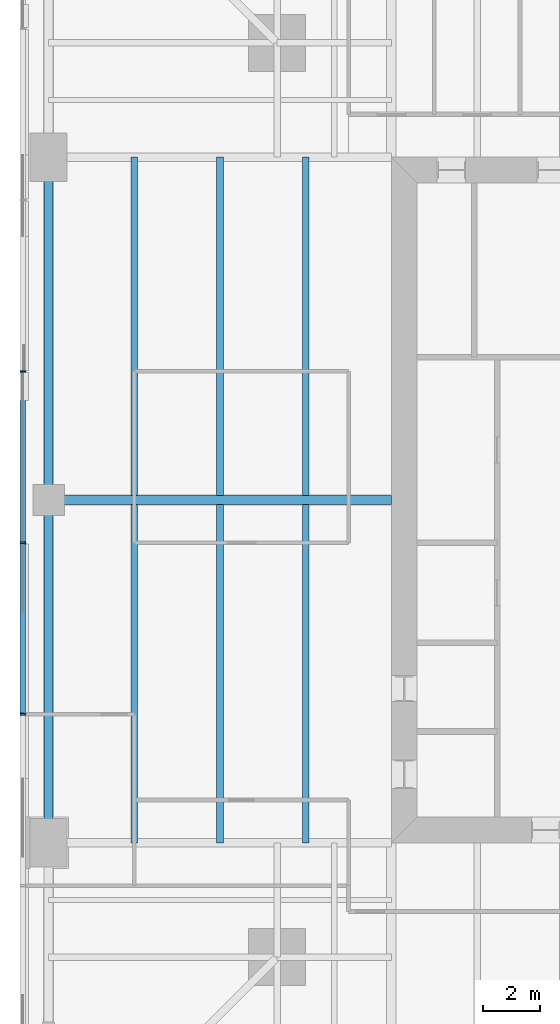
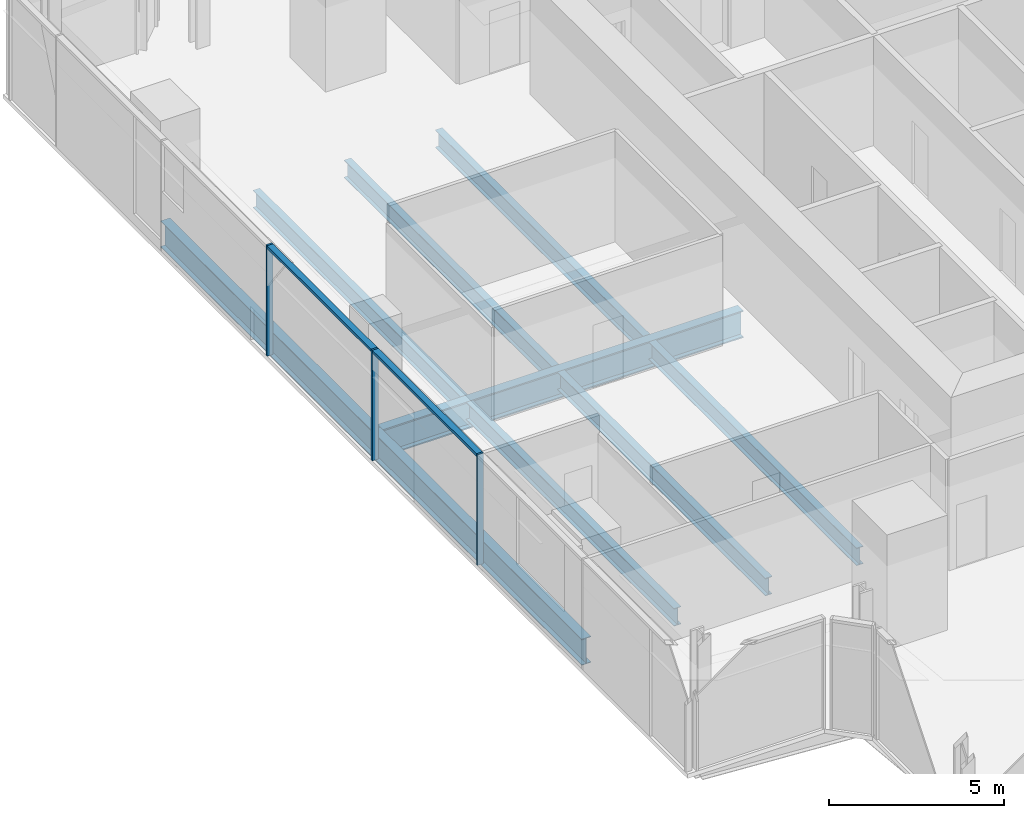
# One storey, part 4 of 14: 9 beams, 5 members, 1 element without a shape of its own.
"""IFC4 building model written with IfcOpenShell, lengths in metres."""

from ifc_helpers import new_model, si_unit, direction, frame, origin, origin_2d, place, context, subcontext, project, spatial, rectangle, i_section, extrude, material, material_profile, profile_set, type_object, element, aggregate, save


model = new_model("IFC4")

# Units and contexts
model_context = context("Model", 3, precision=1e-05, world=origin(), true_north=direction((0.0, 1.0)))
body_context = subcontext(model_context, "Body", "Model", "MODEL_VIEW")
ifc_project = project(units=[si_unit("LENGTHUNIT", "METRE"), si_unit("AREAUNIT", "SQUARE_METRE"), si_unit("VOLUMEUNIT", "CUBIC_METRE"), si_unit("PLANEANGLEUNIT", "RADIAN"), si_unit("MASSUNIT", "GRAM", prefix="KILO")], contexts=[model_context])

# Site, building, storey
site_placement = place(None, origin())
site = spatial("IfcSite", under=ifc_project, at=site_placement, CompositionType="ELEMENT")
building_placement = place(site_placement, origin())
building = spatial("IfcBuilding", under=site, at=building_placement, Name="Fenwick Lantern Interchange", CompositionType="ELEMENT")
storey_placement = place(building_placement, frame((0.0, 0.0, 205.800048828125)))
storey = spatial("IfcBuildingStorey", under=building, at=storey_placement, Name="L48", CompositionType="ELEMENT", Elevation=205.800048828125)

# Beams
ifc_material_1 = material(Name="Steel ASTM A992 Grade 50", Category="steel")
ifc_material_profile_1 = material_profile(ifc_material_1, i_section(OverallWidth=0.3046875, OverallDepth=0.911865234375, WebThickness=0.015869140625, FlangeThickness=0.02392578125, at=origin_2d()), Name="W36X150")
ifc_profile_set_1 = profile_set([ifc_material_profile_1], Name="Steel ASTM A992 Grade 50")
beam_type_1 = type_object("IfcBeamType", Name="EDGE BEAM W36X150", PredefinedType="SPANDREL", material=ifc_profile_set_1)
for number, where, z_axis, x_axis, name in (
    (1, (1.0, 37.0, -0.60595703125), (0.0, -1.0, 0.0), (1.0, 0.0, 0.0), "L48/FR/W/EB2"),
    (2, (1.0, 25.0, -0.60595703125), (0.0, -1.0, 0.0), (1.0, 0.0, 0.0), "L48/FR/W/EB3"),
):
    element("IfcBeam", number, at=place(storey_placement, frame(where, z_axis=z_axis, x_axis=x_axis)), inside=storey, type_object=beam_type_1, Name=name, PredefinedType="SPANDREL", context=body_context, shape_type="SweptSolid", body=[
        extrude(i_section(OverallWidth=0.3046875, OverallDepth=0.911865234375, WebThickness=0.015869140625, FlangeThickness=0.02392578125, at=origin_2d()), origin(), (0.0, 0.0, 1.0), 12.0),
    ])
ifc_material_profile_2 = material_profile(ifc_material_1, i_section(OverallWidth=0.22900390625, OverallDepth=0.612060546875, WebThickness=0.011962890625, FlangeThickness=0.01953125, at=origin_2d()), Name="W24X84")
ifc_profile_set_2 = profile_set([ifc_material_profile_2], Name="Steel ASTM A992 Grade 50")
beam_type_2 = type_object("IfcBeamType", Name="FLOOR BEAM W24X84", PredefinedType="BEAM", material=ifc_profile_set_2)
for number, where, z_axis, x_axis, name in (
    (3, (4.0, 37.0, -0.4560546875), (0.0, -1.0, 0.0), (1.0, 0.0, 0.0), "L48/FR/W/B01"),
    (4, (7.0, 37.0, -0.4560546875), (0.0, -1.0, 0.0), (1.0, 0.0, 0.0), "L48/FR/W/B02"),
    (5, (10.0, 37.0, -0.4560546875), (0.0, -1.0, 0.0), (1.0, 0.0, 0.0), "L48/FR/W/B03"),
    (6, (4.0, 24.844970703125, -0.4560546875), (0.0, -1.0, 0.0), (1.0, 0.0, 0.0), "L48/FR/W/B04"),
    (7, (7.0, 24.844970703125, -0.4560546875), (0.0, -1.0, 0.0), (1.0, 0.0, 0.0), "L48/FR/W/B05"),
    (8, (10.0, 24.844970703125, -0.4560546875), (0.0, -1.0, 0.0), (1.0, 0.0, 0.0), "L48/FR/W/B06"),
):
    element("IfcBeam", number, at=place(storey_placement, frame(where, z_axis=z_axis, x_axis=x_axis)), inside=storey, type_object=beam_type_2, Name=name, PredefinedType="BEAM", context=body_context, shape_type="SweptSolid", body=[
        extrude(i_section(OverallWidth=0.22900390625, OverallDepth=0.612060546875, WebThickness=0.011962890625, FlangeThickness=0.01953125, at=origin_2d()), origin(), (0.0, 0.0, 1.0), 11.844970703125),
    ])
ifc_material_profile_3 = material_profile(ifc_material_1, i_section(OverallWidth=0.309814453125, OverallDepth=0.949951171875, WebThickness=0.0244140625, FlangeThickness=0.0439453125, at=origin_2d()), Name="W36X256")
ifc_profile_set_3 = profile_set([ifc_material_profile_3], Name="Steel ASTM A992 Grade 50")
beam_type_3 = type_object("IfcBeamType", Name="MOMENT-CONNECTED GIRDER W36X256", PredefinedType="BEAM", material=ifc_profile_set_3)
beam_placement = place(storey_placement, frame((1.0, 25.0, -0.625), z_axis=(1.0, 0.0, 0.0), x_axis=(0.0, 1.0, 0.0)))
element("IfcBeam", 9, at=beam_placement, inside=storey, type_object=beam_type_3, Name="L48/FR/W/R02", PredefinedType="BEAM", context=body_context, shape_type="SweptSolid", body=[
    extrude(i_section(OverallWidth=0.309814453125, OverallDepth=0.949951171875, WebThickness=0.0244140625, FlangeThickness=0.0439453125, at=origin_2d()), origin(), (0.0, 0.0, 1.0), 12.0),
])

# Curtain wall, members
ifc_material_2 = material(Name="Aluminium curtain wall frame", Category="aluminium")
curtain_wall_type = type_object("IfcCurtainWallType", Name="OFFICE CURTAIN WALL", PredefinedType="USERDEFINED", material=ifc_material_2)
curtain_wall_placement = place(storey_placement, origin())
curtain_wall = element("IfcCurtainWall", 10, at=curtain_wall_placement, inside=storey, type_object=curtain_wall_type, Name="Office curtain wall 13", ObjectType="OFFICE CURTAIN WALL", PredefinedType="USERDEFINED")
ifc_material_3 = material(Name="Aluminium extrusion", Category="aluminium")
ifc_material_profile_4 = material_profile(ifc_material_3, rectangle(XDim=0.199951171875, YDim=0.06494140625, at=origin_2d()), Name="OFFICE CURTAIN WALL MULLION 65 X 200")
ifc_profile_set_4 = profile_set([ifc_material_profile_4], Name="Aluminium extrusion")
member_type_1 = type_object("IfcMemberType", Name="OFFICE CURTAIN WALL MULLION 65 X 200", PredefinedType="MULLION", material=ifc_profile_set_4)
member_1_placement = place(storey_placement, frame((0.10009765625, 29.5, 0.0), z_axis=(0.0, 0.0, 1.0), x_axis=(1.0, 0.0, 0.0)))
member_1 = element("IfcMember", 11, at=member_1_placement, type_object=member_type_1, Name="L48/CW/13/M03", PredefinedType="MULLION", context=body_context, shape_type="SweptSolid", body=[
    extrude(rectangle(XDim=0.199951171875, YDim=0.06494140625, at=origin_2d()), origin(), (0.0, 0.0, 1.0), 3.849853515625),
])
member_2_placement = place(storey_placement, frame((0.10009765625, 23.5, 0.0), z_axis=(0.0, 0.0, 1.0), x_axis=(1.0, 0.0, 0.0)))
member_2 = element("IfcMember", 12, at=member_2_placement, type_object=member_type_1, Name="L48/CW/13/M04", PredefinedType="MULLION", context=body_context, shape_type="SweptSolid", body=[
    extrude(rectangle(XDim=0.199951171875, YDim=0.06494140625, at=origin_2d()), origin(), (0.0, 0.0, 1.0), 3.849853515625),
])
member_3_placement = place(storey_placement, frame((0.10009765625, 17.5, 0.0), z_axis=(0.0, 0.0, 1.0), x_axis=(1.0, 0.0, 0.0)))
member_3 = element("IfcMember", 13, at=member_3_placement, type_object=member_type_1, Name="L48/CW/13/M05", PredefinedType="MULLION", context=body_context, shape_type="SweptSolid", body=[
    extrude(rectangle(XDim=0.199951171875, YDim=0.06494140625, at=origin_2d()), origin(), (0.0, 0.0, 1.0), 3.849853515625),
])
ifc_material_profile_5 = material_profile(ifc_material_3, rectangle(XDim=0.199951171875, YDim=0.10009765625, at=origin_2d()), Name="OFFICE CURTAIN WALL TRANSOM 100 X 200")
ifc_profile_set_5 = profile_set([ifc_material_profile_5], Name="Aluminium extrusion")
member_type_2 = type_object("IfcMemberType", Name="OFFICE CURTAIN WALL TRANSOM 100 X 200", PredefinedType="MULLION", material=ifc_profile_set_5)
member_4_placement = place(storey_placement, frame((0.10009765625, 29.467529296875, 3.800048828125), z_axis=(0.0, -1.0, 0.0), x_axis=(1.0, 0.0, 0.0)))
member_4 = element("IfcMember", 14, at=member_4_placement, type_object=member_type_2, Name="L48/CW/13/T03", PredefinedType="MULLION", context=body_context, shape_type="SweptSolid", body=[
    extrude(rectangle(XDim=0.199951171875, YDim=0.10009765625, at=origin_2d()), origin(), (0.0, 0.0, 1.0), 5.93505859375),
])
member_5_placement = place(storey_placement, frame((0.10009765625, 23.467529296875, 3.800048828125), z_axis=(0.0, -1.0, 0.0), x_axis=(1.0, 0.0, 0.0)))
member_5 = element("IfcMember", 15, at=member_5_placement, type_object=member_type_2, Name="L48/CW/13/T04", PredefinedType="MULLION", context=body_context, shape_type="SweptSolid", body=[
    extrude(rectangle(XDim=0.199951171875, YDim=0.10009765625, at=origin_2d()), origin(), (0.0, 0.0, 1.0), 5.93505859375),
])
aggregate(curtain_wall, [member_1, member_2, member_3, member_4, member_5])

save(model, "model.ifc")
